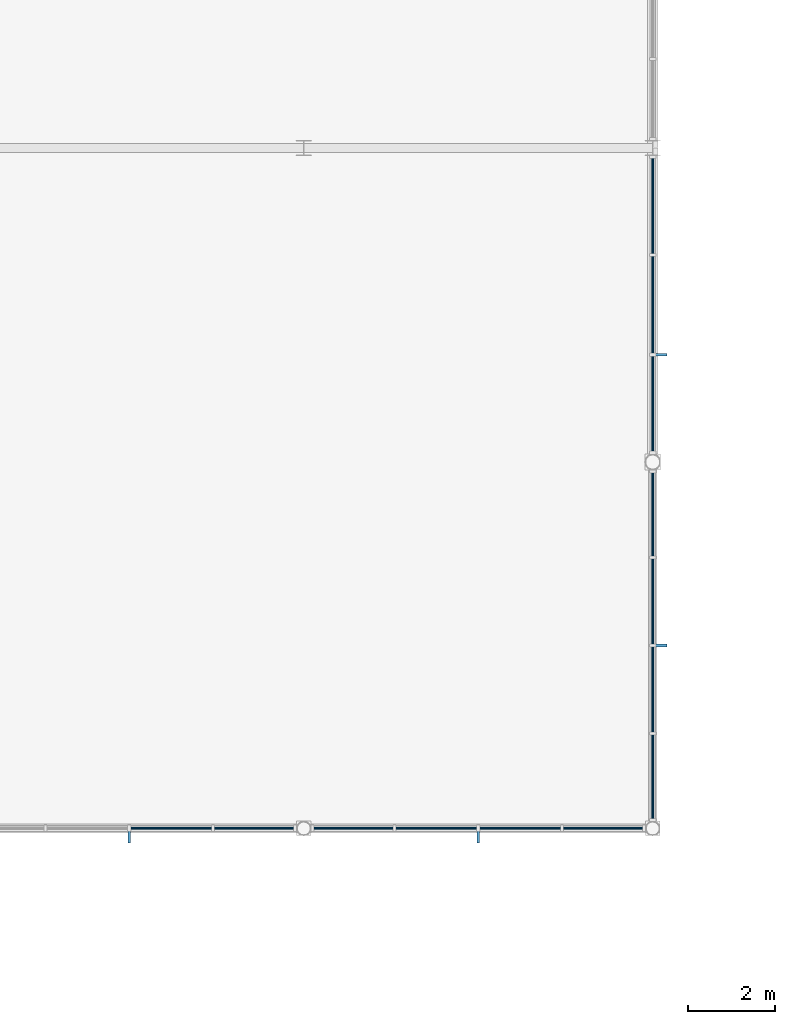
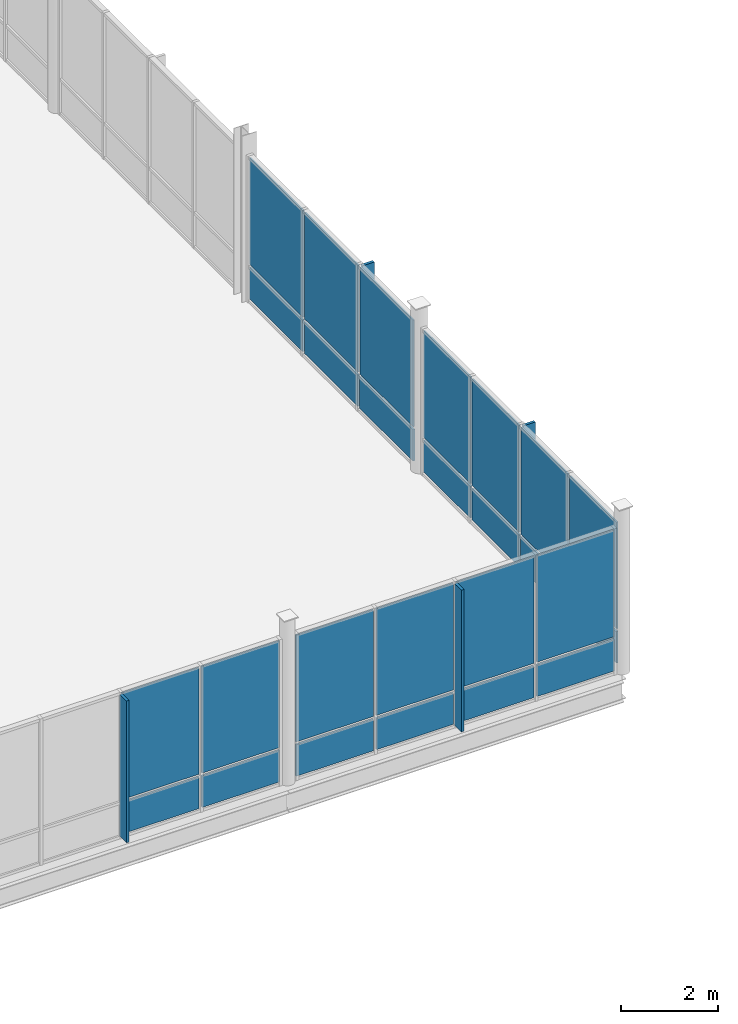
# One storey, part 46 of 75: 30 plates, 4 elements without a shape of their own.
"""IFC4 building model written with IfcOpenShell, lengths in metres."""

from ifc_helpers import new_model, si_unit, direction, frame, origin, origin_2d, place, context, subcontext, project, spatial, rectangle, extrude, material, layer, layer_set, type_object, element, aggregate, save


model = new_model("IFC4")

# Units and contexts
model_context = context("Model", 3, precision=1e-05, world=origin(), true_north=direction((0.0, 1.0)))
body_context = subcontext(model_context, "Body", "Model", "MODEL_VIEW")
ifc_project = project(units=[si_unit("LENGTHUNIT", "METRE"), si_unit("AREAUNIT", "SQUARE_METRE"), si_unit("VOLUMEUNIT", "CUBIC_METRE"), si_unit("PLANEANGLEUNIT", "RADIAN"), si_unit("MASSUNIT", "GRAM", prefix="KILO")], contexts=[model_context])

# Site, building, storey
site_placement = place(None, origin())
site = spatial("IfcSite", under=ifc_project, at=site_placement, CompositionType="ELEMENT")
building_placement = place(site_placement, origin())
building = spatial("IfcBuilding", under=site, at=building_placement, Name="Yukiwa Park Conservatory and Herbarium", CompositionType="ELEMENT")
storey_placement = place(building_placement, frame((0.0, 0.0, 4.800048828125)))
storey = spatial("IfcBuildingStorey", under=building, at=storey_placement, Name="L01", CompositionType="ELEMENT", Elevation=4.800048828125)

# Curtain wall, plates
ifc_material_1 = material(Name="Triple Low-E Insulated Glass", Category="glass")
ifc_layer_1 = layer(ifc_material_1, 0.18798828125)
ifc_layer_set_1 = layer_set([ifc_layer_1], Name="Triple Low-E Insulated Glass")
curtain_wall_type = type_object("IfcCurtainWallType", Name="CW-CONCOURSE-2000", PredefinedType="NOTDEFINED", material=ifc_layer_set_1)
curtain_wall_1_placement = place(storey_placement, origin())
curtain_wall_1 = element("IfcCurtainWall", 1, at=curtain_wall_1_placement, inside=storey, type_object=curtain_wall_type, Name="L01 unitised curtain wall CW-L01-040", PredefinedType="NOTDEFINED")
ifc_material_2 = material(Name="Triple Low-E Insulated Glass", Category="glass")
ifc_layer_2 = layer(ifc_material_2, 0.035888671875)
ifc_layer_set_2 = layer_set([ifc_layer_2], Name="Triple Low-E Insulated Glass")
plate_type_1 = type_object("IfcPlateType", Name="PL-CW-GLZ-36", PredefinedType="CURTAIN_PANEL", material=ifc_layer_set_2)
plate_1_placement = place(storey_placement, frame((96.95947265625, 15.60009765625, 0.93505859375), z_axis=(0.0, 0.0, 1.0), x_axis=(1.0, 0.0, 0.0)))
plate_1 = element("IfcPlate", 2, at=plate_1_placement, type_object=plate_type_1, Name="CW-L01-040 vision panel 3.2", PredefinedType="CURTAIN_PANEL", context=body_context, shape_type="SweptSolid", body=[
    extrude(rectangle(XDim=1.848876953125, YDim=0.035888671875, at=origin_2d()), origin(), (0.0, 0.0, 1.0), 2.695068359375),
])
plate_2_placement = place(storey_placement, frame((98.878173828125, 15.60009765625, 0.93505859375), z_axis=(0.0, 0.0, 1.0), x_axis=(1.0, 0.0, 0.0)))
plate_2 = element("IfcPlate", 3, at=plate_2_placement, type_object=plate_type_1, Name="CW-L01-040 vision panel 4.2", PredefinedType="CURTAIN_PANEL", context=body_context, shape_type="SweptSolid", body=[
    extrude(rectangle(XDim=1.848876953125, YDim=0.035888671875, at=origin_2d()), origin(), (0.0, 0.0, 1.0), 2.695068359375),
])

curtain_wall_2_placement = place(storey_placement, origin())
curtain_wall_2 = element("IfcCurtainWall", 4, at=curtain_wall_2_placement, inside=storey, type_object=curtain_wall_type, Name="L01 unitised curtain wall CW-L01-041", PredefinedType="NOTDEFINED")
plate_3_placement = place(storey_placement, frame((101.121826171875, 15.60009765625, 0.93505859375), z_axis=(0.0, 0.0, 1.0), x_axis=(1.0, 0.0, 0.0)))
plate_3 = element("IfcPlate", 5, at=plate_3_placement, type_object=plate_type_1, Name="CW-L01-041 vision panel 1.2", PredefinedType="CURTAIN_PANEL", context=body_context, shape_type="SweptSolid", body=[
    extrude(rectangle(XDim=1.848876953125, YDim=0.035888671875, at=origin_2d()), origin(), (0.0, 0.0, 1.0), 2.695068359375),
])
plate_4_placement = place(storey_placement, frame((103.04052734375, 15.60009765625, 0.93505859375), z_axis=(0.0, 0.0, 1.0), x_axis=(1.0, 0.0, 0.0)))
plate_4 = element("IfcPlate", 6, at=plate_4_placement, type_object=plate_type_1, Name="CW-L01-041 vision panel 2.2", PredefinedType="CURTAIN_PANEL", context=body_context, shape_type="SweptSolid", body=[
    extrude(rectangle(XDim=1.848876953125, YDim=0.035888671875, at=origin_2d()), origin(), (0.0, 0.0, 1.0), 2.695068359375),
])
plate_5_placement = place(storey_placement, frame((104.95947265625, 15.60009765625, 0.93505859375), z_axis=(0.0, 0.0, 1.0), x_axis=(1.0, 0.0, 0.0)))
plate_5 = element("IfcPlate", 7, at=plate_5_placement, type_object=plate_type_1, Name="CW-L01-041 vision panel 3.2", PredefinedType="CURTAIN_PANEL", context=body_context, shape_type="SweptSolid", body=[
    extrude(rectangle(XDim=1.848876953125, YDim=0.035888671875, at=origin_2d()), origin(), (0.0, 0.0, 1.0), 2.695068359375),
])
plate_6_placement = place(storey_placement, frame((106.878173828125, 15.60009765625, 0.93505859375), z_axis=(0.0, 0.0, 1.0), x_axis=(1.0, 0.0, 0.0)))
plate_6 = element("IfcPlate", 8, at=plate_6_placement, type_object=plate_type_1, Name="CW-L01-041 vision panel 4.2", PredefinedType="CURTAIN_PANEL", context=body_context, shape_type="SweptSolid", body=[
    extrude(rectangle(XDim=1.848876953125, YDim=0.035888671875, at=origin_2d()), origin(), (0.0, 0.0, 1.0), 2.695068359375),
])

curtain_wall_3_placement = place(storey_placement, origin())
curtain_wall_3 = element("IfcCurtainWall", 9, at=curtain_wall_3_placement, inside=storey, type_object=curtain_wall_type, Name="L01 unitised curtain wall CW-L01-042", PredefinedType="NOTDEFINED")
plate_7_placement = place(storey_placement, frame((108.0, 16.77001953125, 0.93505859375), z_axis=(0.0, 0.0, 1.0), x_axis=(0.0, 1.0, 0.0)))
plate_7 = element("IfcPlate", 10, at=plate_7_placement, type_object=plate_type_1, Name="CW-L01-042 vision panel 1.2", PredefinedType="CURTAIN_PANEL", context=body_context, shape_type="SweptSolid", body=[
    extrude(rectangle(XDim=1.94482421875, YDim=0.035888671875, at=origin_2d()), origin(), (0.0, 0.0, 1.0), 2.695068359375),
])
plate_8_placement = place(storey_placement, frame((108.0, 18.784912109375, 0.93505859375), z_axis=(0.0, 0.0, 1.0), x_axis=(0.0, 1.0, 0.0)))
plate_8 = element("IfcPlate", 11, at=plate_8_placement, type_object=plate_type_1, Name="CW-L01-042 vision panel 2.2", PredefinedType="CURTAIN_PANEL", context=body_context, shape_type="SweptSolid", body=[
    extrude(rectangle(XDim=1.94482421875, YDim=0.035888671875, at=origin_2d()), origin(), (0.0, 0.0, 1.0), 2.695068359375),
])
plate_9_placement = place(storey_placement, frame((108.0, 20.7998046875, 0.93505859375), z_axis=(0.0, 0.0, 1.0), x_axis=(0.0, 1.0, 0.0)))
plate_9 = element("IfcPlate", 12, at=plate_9_placement, type_object=plate_type_1, Name="CW-L01-042 vision panel 3.2", PredefinedType="CURTAIN_PANEL", context=body_context, shape_type="SweptSolid", body=[
    extrude(rectangle(XDim=1.94482421875, YDim=0.035888671875, at=origin_2d()), origin(), (0.0, 0.0, 1.0), 2.695068359375),
])
plate_10_placement = place(storey_placement, frame((108.0, 22.814697265625, 0.93505859375), z_axis=(0.0, 0.0, 1.0), x_axis=(0.0, 1.0, 0.0)))
plate_10 = element("IfcPlate", 13, at=plate_10_placement, type_object=plate_type_1, Name="CW-L01-042 vision panel 4.2", PredefinedType="CURTAIN_PANEL", context=body_context, shape_type="SweptSolid", body=[
    extrude(rectangle(XDim=1.94482421875, YDim=0.035888671875, at=origin_2d()), origin(), (0.0, 0.0, 1.0), 2.695068359375),
])

curtain_wall_4_placement = place(storey_placement, origin())
curtain_wall_4 = element("IfcCurtainWall", 14, at=curtain_wall_4_placement, inside=storey, type_object=curtain_wall_type, Name="L01 unitised curtain wall CW-L01-043", PredefinedType="NOTDEFINED")
plate_11_placement = place(storey_placement, frame((108.0, 25.319091796875, 0.93505859375), z_axis=(0.0, 0.0, 1.0), x_axis=(0.0, 1.0, 0.0)))
plate_11 = element("IfcPlate", 15, at=plate_11_placement, type_object=plate_type_1, Name="CW-L01-043 vision panel 1.2", PredefinedType="CURTAIN_PANEL", context=body_context, shape_type="SweptSolid", body=[
    extrude(rectangle(XDim=2.21240234375, YDim=0.035888671875, at=origin_2d()), origin(), (0.0, 0.0, 1.0), 2.695068359375),
])
plate_12_placement = place(storey_placement, frame((108.0, 27.601318359375, 0.93505859375), z_axis=(0.0, 0.0, 1.0), x_axis=(0.0, 1.0, 0.0)))
plate_12 = element("IfcPlate", 16, at=plate_12_placement, type_object=plate_type_1, Name="CW-L01-043 vision panel 2.2", PredefinedType="CURTAIN_PANEL", context=body_context, shape_type="SweptSolid", body=[
    extrude(rectangle(XDim=2.21240234375, YDim=0.035888671875, at=origin_2d()), origin(), (0.0, 0.0, 1.0), 2.695068359375),
])
plate_13_placement = place(storey_placement, frame((108.0, 29.8837890625, 0.93505859375), z_axis=(0.0, 0.0, 1.0), x_axis=(0.0, 1.0, 0.0)))
plate_13 = element("IfcPlate", 17, at=plate_13_placement, type_object=plate_type_1, Name="CW-L01-043 vision panel 3.2", PredefinedType="CURTAIN_PANEL", context=body_context, shape_type="SweptSolid", body=[
    extrude(rectangle(XDim=2.21240234375, YDim=0.035888671875, at=origin_2d()), origin(), (0.0, 0.0, 1.0), 2.695068359375),
])

# Plate
ifc_material_3 = material(Name="Anodised Aluminium", Category="aluminium")
ifc_layer_3 = layer(ifc_material_3, 0.044921875)
ifc_layer_set_3 = layer_set([ifc_layer_3], Name="Anodised Aluminium")
plate_type_2 = type_object("IfcPlateType", Name="PL-CW-SPN-45", PredefinedType="CURTAIN_PANEL", material=ifc_layer_set_3)
plate_14_placement = place(storey_placement, frame((96.95947265625, 15.60009765625, 0.070068359375), z_axis=(0.0, 0.0, 1.0), x_axis=(1.0, 0.0, 0.0)))
plate_14 = element("IfcPlate", 18, at=plate_14_placement, type_object=plate_type_2, Name="CW-L01-040 spandrel panel 3.1", PredefinedType="CURTAIN_PANEL", context=body_context, shape_type="SweptSolid", body=[
    extrude(rectangle(XDim=1.848876953125, YDim=0.044921875, at=origin_2d()), origin(), (0.0, 0.0, 1.0), 0.794921875),
])

plate_15_placement = place(storey_placement, frame((98.878173828125, 15.60009765625, 0.070068359375), z_axis=(0.0, 0.0, 1.0), x_axis=(1.0, 0.0, 0.0)))
plate_15 = element("IfcPlate", 19, at=plate_15_placement, type_object=plate_type_2, Name="CW-L01-040 spandrel panel 4.1", PredefinedType="CURTAIN_PANEL", context=body_context, shape_type="SweptSolid", body=[
    extrude(rectangle(XDim=1.848876953125, YDim=0.044921875, at=origin_2d()), origin(), (0.0, 0.0, 1.0), 0.794921875),
])

aggregate(curtain_wall_1, [plate_14, plate_1, plate_15, plate_2])

plate_16_placement = place(storey_placement, frame((101.121826171875, 15.60009765625, 0.070068359375), z_axis=(0.0, 0.0, 1.0), x_axis=(1.0, 0.0, 0.0)))
plate_16 = element("IfcPlate", 20, at=plate_16_placement, type_object=plate_type_2, Name="CW-L01-041 spandrel panel 1.1", PredefinedType="CURTAIN_PANEL", context=body_context, shape_type="SweptSolid", body=[
    extrude(rectangle(XDim=1.848876953125, YDim=0.044921875, at=origin_2d()), origin(), (0.0, 0.0, 1.0), 0.794921875),
])

plate_17_placement = place(storey_placement, frame((103.04052734375, 15.60009765625, 0.070068359375), z_axis=(0.0, 0.0, 1.0), x_axis=(1.0, 0.0, 0.0)))
plate_17 = element("IfcPlate", 21, at=plate_17_placement, type_object=plate_type_2, Name="CW-L01-041 spandrel panel 2.1", PredefinedType="CURTAIN_PANEL", context=body_context, shape_type="SweptSolid", body=[
    extrude(rectangle(XDim=1.848876953125, YDim=0.044921875, at=origin_2d()), origin(), (0.0, 0.0, 1.0), 0.794921875),
])

plate_18_placement = place(storey_placement, frame((104.95947265625, 15.60009765625, 0.070068359375), z_axis=(0.0, 0.0, 1.0), x_axis=(1.0, 0.0, 0.0)))
plate_18 = element("IfcPlate", 22, at=plate_18_placement, type_object=plate_type_2, Name="CW-L01-041 spandrel panel 3.1", PredefinedType="CURTAIN_PANEL", context=body_context, shape_type="SweptSolid", body=[
    extrude(rectangle(XDim=1.848876953125, YDim=0.044921875, at=origin_2d()), origin(), (0.0, 0.0, 1.0), 0.794921875),
])

plate_19_placement = place(storey_placement, frame((106.878173828125, 15.60009765625, 0.070068359375), z_axis=(0.0, 0.0, 1.0), x_axis=(1.0, 0.0, 0.0)))
plate_19 = element("IfcPlate", 23, at=plate_19_placement, type_object=plate_type_2, Name="CW-L01-041 spandrel panel 4.1", PredefinedType="CURTAIN_PANEL", context=body_context, shape_type="SweptSolid", body=[
    extrude(rectangle(XDim=1.848876953125, YDim=0.044921875, at=origin_2d()), origin(), (0.0, 0.0, 1.0), 0.794921875),
])

aggregate(curtain_wall_2, [plate_16, plate_3, plate_17, plate_4, plate_18, plate_5, plate_19, plate_6])

plate_20_placement = place(storey_placement, frame((108.0, 16.77001953125, 0.070068359375), z_axis=(0.0, 0.0, 1.0), x_axis=(0.0, 1.0, 0.0)))
plate_20 = element("IfcPlate", 24, at=plate_20_placement, type_object=plate_type_2, Name="CW-L01-042 spandrel panel 1.1", PredefinedType="CURTAIN_PANEL", context=body_context, shape_type="SweptSolid", body=[
    extrude(rectangle(XDim=1.94482421875, YDim=0.044921875, at=origin_2d()), origin(), (0.0, 0.0, 1.0), 0.794921875),
])

plate_21_placement = place(storey_placement, frame((108.0, 18.784912109375, 0.070068359375), z_axis=(0.0, 0.0, 1.0), x_axis=(0.0, 1.0, 0.0)))
plate_21 = element("IfcPlate", 25, at=plate_21_placement, type_object=plate_type_2, Name="CW-L01-042 spandrel panel 2.1", PredefinedType="CURTAIN_PANEL", context=body_context, shape_type="SweptSolid", body=[
    extrude(rectangle(XDim=1.94482421875, YDim=0.044921875, at=origin_2d()), origin(), (0.0, 0.0, 1.0), 0.794921875),
])

plate_22_placement = place(storey_placement, frame((108.0, 20.7998046875, 0.070068359375), z_axis=(0.0, 0.0, 1.0), x_axis=(0.0, 1.0, 0.0)))
plate_22 = element("IfcPlate", 26, at=plate_22_placement, type_object=plate_type_2, Name="CW-L01-042 spandrel panel 3.1", PredefinedType="CURTAIN_PANEL", context=body_context, shape_type="SweptSolid", body=[
    extrude(rectangle(XDim=1.94482421875, YDim=0.044921875, at=origin_2d()), origin(), (0.0, 0.0, 1.0), 0.794921875),
])

plate_23_placement = place(storey_placement, frame((108.0, 22.814697265625, 0.070068359375), z_axis=(0.0, 0.0, 1.0), x_axis=(0.0, 1.0, 0.0)))
plate_23 = element("IfcPlate", 27, at=plate_23_placement, type_object=plate_type_2, Name="CW-L01-042 spandrel panel 4.1", PredefinedType="CURTAIN_PANEL", context=body_context, shape_type="SweptSolid", body=[
    extrude(rectangle(XDim=1.94482421875, YDim=0.044921875, at=origin_2d()), origin(), (0.0, 0.0, 1.0), 0.794921875),
])

aggregate(curtain_wall_3, [plate_20, plate_7, plate_21, plate_8, plate_22, plate_9, plate_23, plate_10])

plate_24_placement = place(storey_placement, frame((108.0, 25.319091796875, 0.070068359375), z_axis=(0.0, 0.0, 1.0), x_axis=(0.0, 1.0, 0.0)))
plate_24 = element("IfcPlate", 28, at=plate_24_placement, type_object=plate_type_2, Name="CW-L01-043 spandrel panel 1.1", PredefinedType="CURTAIN_PANEL", context=body_context, shape_type="SweptSolid", body=[
    extrude(rectangle(XDim=2.21240234375, YDim=0.044921875, at=origin_2d()), origin(), (0.0, 0.0, 1.0), 0.794921875),
])

plate_25_placement = place(storey_placement, frame((108.0, 27.601318359375, 0.070068359375), z_axis=(0.0, 0.0, 1.0), x_axis=(0.0, 1.0, 0.0)))
plate_25 = element("IfcPlate", 29, at=plate_25_placement, type_object=plate_type_2, Name="CW-L01-043 spandrel panel 2.1", PredefinedType="CURTAIN_PANEL", context=body_context, shape_type="SweptSolid", body=[
    extrude(rectangle(XDim=2.21240234375, YDim=0.044921875, at=origin_2d()), origin(), (0.0, 0.0, 1.0), 0.794921875),
])

plate_26_placement = place(storey_placement, frame((108.0, 29.8837890625, 0.070068359375), z_axis=(0.0, 0.0, 1.0), x_axis=(0.0, 1.0, 0.0)))
plate_26 = element("IfcPlate", 30, at=plate_26_placement, type_object=plate_type_2, Name="CW-L01-043 spandrel panel 3.1", PredefinedType="CURTAIN_PANEL", context=body_context, shape_type="SweptSolid", body=[
    extrude(rectangle(XDim=2.21240234375, YDim=0.044921875, at=origin_2d()), origin(), (0.0, 0.0, 1.0), 0.794921875),
])

aggregate(curtain_wall_4, [plate_24, plate_11, plate_25, plate_12, plate_26, plate_13])

# Plates
ifc_material_4 = material(Name="Charred Larch Cladding", Category="wood")
ifc_layer_4 = layer(ifc_material_4, 0.06494140625)
ifc_layer_set_4 = layer_set([ifc_layer_4], Name="Charred Larch Cladding")
plate_type_3 = type_object("IfcPlateType", Name="PL-FIN-LARCH-65", PredefinedType="USERDEFINED", material=ifc_layer_set_4)
for number, where, z_axis, x_axis, name in (
    (31, (96.0, 15.409912109375, 0.059814453125), (0.0, 0.0, 1.0), (1.0, 0.0, 0.0), "CW-L01-040 exterior vertical shading fin"),
    (32, (104.0, 15.409912109375, 0.059814453125), (0.0, 0.0, 1.0), (1.0, 0.0, 0.0), "CW-L01-041 exterior vertical shading fin"),
    (33, (108.18994140625, 19.792236328125, 0.059814453125), (0.0, 0.0, 1.0), (0.0, 1.0, 0.0), "CW-L01-042 exterior vertical shading fin"),
    (34, (108.18994140625, 26.460205078125, 0.059814453125), (0.0, 0.0, 1.0), (0.0, 1.0, 0.0), "CW-L01-043 exterior vertical shading fin"),
):
    element("IfcPlate", number, at=place(storey_placement, frame(where, z_axis=z_axis, x_axis=x_axis)), inside=storey, type_object=plate_type_3, Name=name, ObjectType="SHADING FIN", PredefinedType="USERDEFINED", context=body_context, shape_type="SweptSolid", body=[
        extrude(rectangle(XDim=0.06494140625, YDim=0.280029296875, at=origin_2d()), origin(), (0.0, 0.0, 1.0), 3.580078125),
    ])

save(model, "model.ifc")
